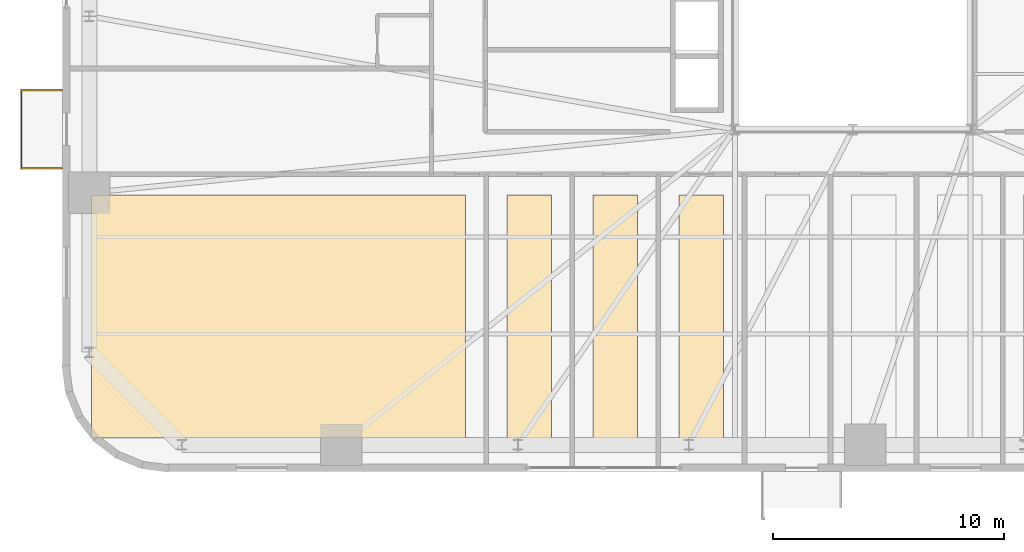
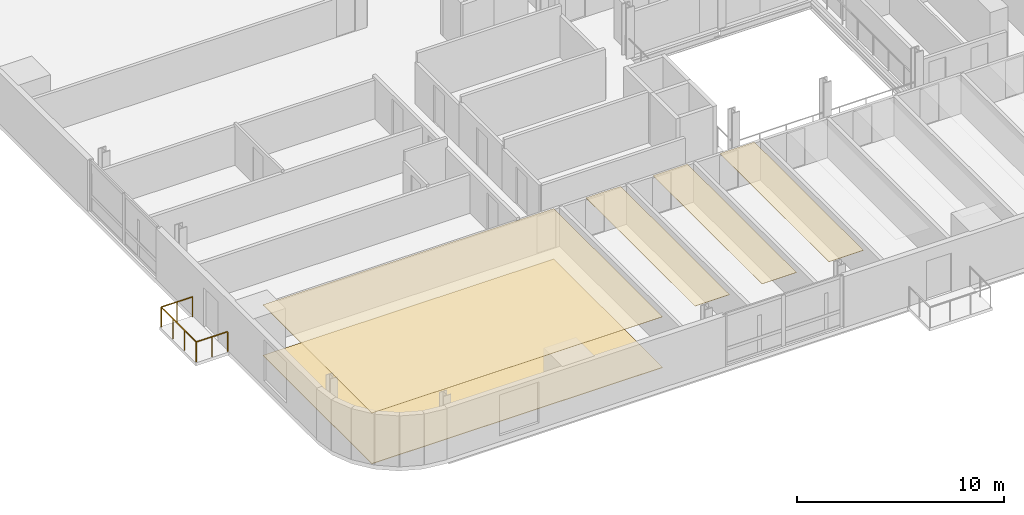
# One storey, part 10 of 13: 5 coverings, 1 railing.
"""IFC4 building model written with IfcOpenShell, lengths in metres."""

from ifc_helpers import new_model, si_unit, direction, frame, origin, origin_2d, place, context, subcontext, project, spatial, polyline, rectangle, outline, extrude, source, transform, mapped, material, layer, layer_set, type_object, element, save


model = new_model("IFC4")

# Units and contexts
model_context = context("Model", 3, precision=1e-05, world=origin(), true_north=direction((0.0, 1.0)))
body_context = subcontext(model_context, "Body", "Model", "MODEL_VIEW")
ifc_project = project(units=[si_unit("LENGTHUNIT", "METRE"), si_unit("AREAUNIT", "SQUARE_METRE"), si_unit("VOLUMEUNIT", "CUBIC_METRE"), si_unit("PLANEANGLEUNIT", "RADIAN"), si_unit("MASSUNIT", "GRAM", prefix="KILO")], contexts=[model_context])

# Site, building, storey
site_placement = place(None, origin())
site = spatial("IfcSite", under=ifc_project, at=site_placement, CompositionType="ELEMENT")
building_placement = place(site_placement, origin())
building = spatial("IfcBuilding", under=site, at=building_placement, Name="Vardaveli Station Tower", CompositionType="ELEMENT")
storey_placement = place(building_placement, frame((0.0, 0.0, 89.64990234375)))
storey = spatial("IfcBuildingStorey", under=building, at=storey_placement, Name="L23", CompositionType="ELEMENT", Elevation=89.64990234375)

# Coverings
ifc_material_1 = material(Name="Perforated acoustic mineral ceiling")
ifc_layer_1 = layer(ifc_material_1, 0.02001953125, Name="Perforated acoustic mineral ceiling")
ifc_layer_set_1 = layer_set([ifc_layer_1], Name="Perforated acoustic mineral ceiling")
covering_type_1 = type_object("IfcCoveringType", Name="COV-CEIL-AC20", PredefinedType="CEILING", material=ifc_layer_set_1)
covering_1_placement = place(storey_placement, frame((0.0, 0.0, 2.985107421875)))
element("IfcCovering", 1, at=covering_1_placement, inside=storey, type_object=covering_type_1, Name="CEIL-L23-1", PredefinedType="CEILING", context=body_context, shape_type="SweptSolid", body=[
    extrude(outline(polyline([(3.35009765625, 3.25), (19.5400390625, 3.25), (19.5400390625, 13.760009765625), (3.35009765625, 13.760009765625), (3.35009765625, 3.25)])), origin(), (0.0, 0.0, 1.0), 0.02001953125),
])
covering_2_placement = place(storey_placement, frame((0.0, 0.0, 2.985107421875)))
element("IfcCovering", 2, at=covering_2_placement, inside=storey, type_object=covering_type_1, Name="CEIL-L23-2", PredefinedType="CEILING", context=body_context, shape_type="SweptSolid", body=[
    extrude(outline(polyline([(21.340087890625, 3.25), (23.2646484375, 3.25), (23.2646484375, 13.760009765625), (21.340087890625, 13.760009765625), (21.340087890625, 3.25)])), origin(), (0.0, 0.0, 1.0), 0.02001953125),
])
covering_3_placement = place(storey_placement, frame((0.0, 0.0, 2.985107421875)))
element("IfcCovering", 3, at=covering_3_placement, inside=storey, type_object=covering_type_1, Name="CEIL-L23-3", PredefinedType="CEILING", context=body_context, shape_type="SweptSolid", body=[
    extrude(outline(polyline([(25.064697265625, 3.25), (26.9892578125, 3.25), (26.9892578125, 13.760009765625), (25.064697265625, 13.760009765625), (25.064697265625, 3.25)])), origin(), (0.0, 0.0, 1.0), 0.02001953125),
])
covering_4_placement = place(storey_placement, frame((0.0, 0.0, 2.985107421875)))
element("IfcCovering", 4, at=covering_4_placement, inside=storey, type_object=covering_type_1, Name="CEIL-L23-4", PredefinedType="CEILING", context=body_context, shape_type="SweptSolid", body=[
    extrude(outline(polyline([(28.789306640625, 3.25), (30.713623046875, 3.25), (30.713623046875, 13.760009765625), (28.789306640625, 13.760009765625), (28.789306640625, 3.25)])), origin(), (0.0, 0.0, 1.0), 0.02001953125),
])
ifc_material_2 = material(Name="Honed Caucasian basalt and travertine flooring", Category="masonry")
ifc_layer_2 = layer(ifc_material_2, 0.030029296875, Name="Honed Caucasian basalt and travertine flooring")
ifc_layer_set_2 = layer_set([ifc_layer_2], Name="Honed Caucasian basalt and travertine flooring")
covering_type_2 = type_object("IfcCoveringType", Name="COV-FLOOR-ST30", PredefinedType="FLOORING", material=ifc_layer_set_2)
covering_5_placement = place(storey_placement, origin())
element("IfcCovering", 5, at=covering_5_placement, inside=storey, type_object=covering_type_2, Name="FLR-L23-1", PredefinedType="FLOORING", context=body_context, shape_type="SweptSolid", body=[
    extrude(outline(polyline([(3.35009765625, 3.25), (19.5400390625, 3.25), (19.5400390625, 13.760009765625), (3.35009765625, 13.760009765625), (3.35009765625, 3.25)])), origin(), (0.0, 0.0, 1.0), 0.030029296875),
])

# Railing
ifc_material_3 = material(Name="Laminated glass and stainless steel balustrade", Category="steel")
railing_type = type_object("IfcRailingType", Name="RL-BAL-1200", PredefinedType="BALUSTRADE", material=ifc_material_3)
shared_shape = source(origin(), body_context, "Body", "SweptSolid", [
    extrude(rectangle(XDim=0.048095703125, YDim=0.048095703125, at=origin_2d()), frame((0.0, 0.0, 1.17578125), z_axis=(-1.0, 0.0, 0.0), x_axis=(0.0, -1.0, 0.0)), (0.0, 0.0, 1.0), 1.75),
    extrude(rectangle(XDim=0.048095703125, YDim=0.048095703125, at=origin_2d()), frame((-1.75, 0.0, 1.17578125), z_axis=(0.0, 1.0, 0.0), x_axis=(-1.0, 0.0, 0.0)), (0.0, 0.0, 1.0), 3.3798828125),
    extrude(rectangle(XDim=0.048095703125, YDim=0.048095703125, at=origin_2d()), frame((-1.75, 3.3798828125, 1.17578125), z_axis=(1.0, 0.0, 0.0), x_axis=(0.0, 1.0, 0.0)), (0.0, 0.0, 1.0), 1.75),
    extrude(rectangle(XDim=0.0419921875, YDim=0.0419921875, at=origin_2d()), origin(), (0.0, 0.0, 1.0), 1.15185546875),
    extrude(rectangle(XDim=0.0419921875, YDim=0.0419921875, at=origin_2d()), frame((-0.875, 0.0, 0.0)), (0.0, 0.0, 1.0), 1.15185546875),
    extrude(rectangle(XDim=0.0419921875, YDim=0.0419921875, at=origin_2d()), frame((-1.75, 0.0, 0.0)), (0.0, 0.0, 1.0), 1.15185546875),
    extrude(rectangle(XDim=0.0419921875, YDim=0.0419921875, at=origin_2d()), frame((-1.75, 1.126708984375, 0.0)), (0.0, 0.0, 1.0), 1.15185546875),
    extrude(rectangle(XDim=0.0419921875, YDim=0.0419921875, at=origin_2d()), frame((-1.75, 2.253173828125, 0.0)), (0.0, 0.0, 1.0), 1.15185546875),
    extrude(rectangle(XDim=0.0419921875, YDim=0.0419921875, at=origin_2d()), frame((-1.75, 3.3798828125, 0.0)), (0.0, 0.0, 1.0), 1.15185546875),
    extrude(rectangle(XDim=0.0419921875, YDim=0.0419921875, at=origin_2d()), frame((-0.875, 3.3798828125, 0.0)), (0.0, 0.0, 1.0), 1.15185546875),
    extrude(rectangle(XDim=0.0419921875, YDim=0.0419921875, at=origin_2d()), frame((0.0, 3.3798828125, 0.0)), (0.0, 0.0, 1.0), 1.15185546875),
])
railing_placement = place(storey_placement, frame((2.06005859375, 14.92041015625, 0.0)))
element("IfcRailing", 6, at=railing_placement, inside=storey, type_object=railing_type, Name="RL-LOG-L23-03", PredefinedType="BALUSTRADE", context=body_context, shape_type="MappedRepresentation", body=[
    mapped(shared_shape, transform((0.0, 0.0, 0.0), scale=1.0)),
])

save(model, "model.ifc")
